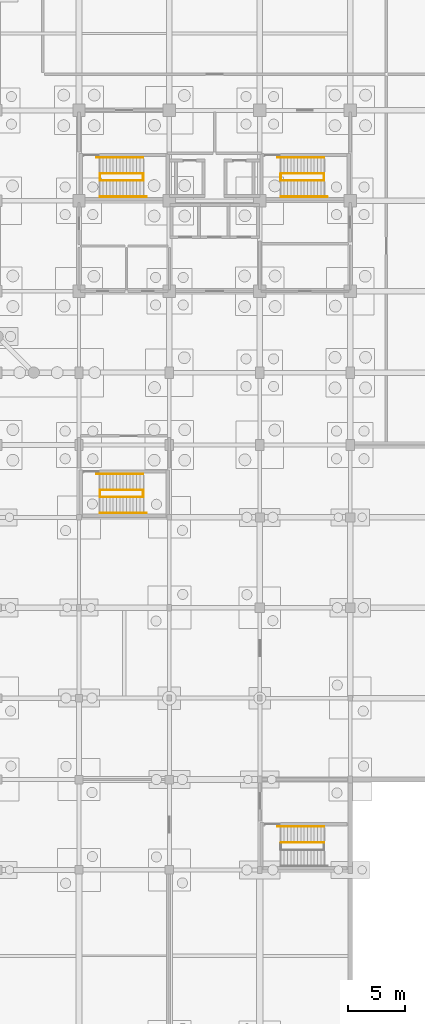
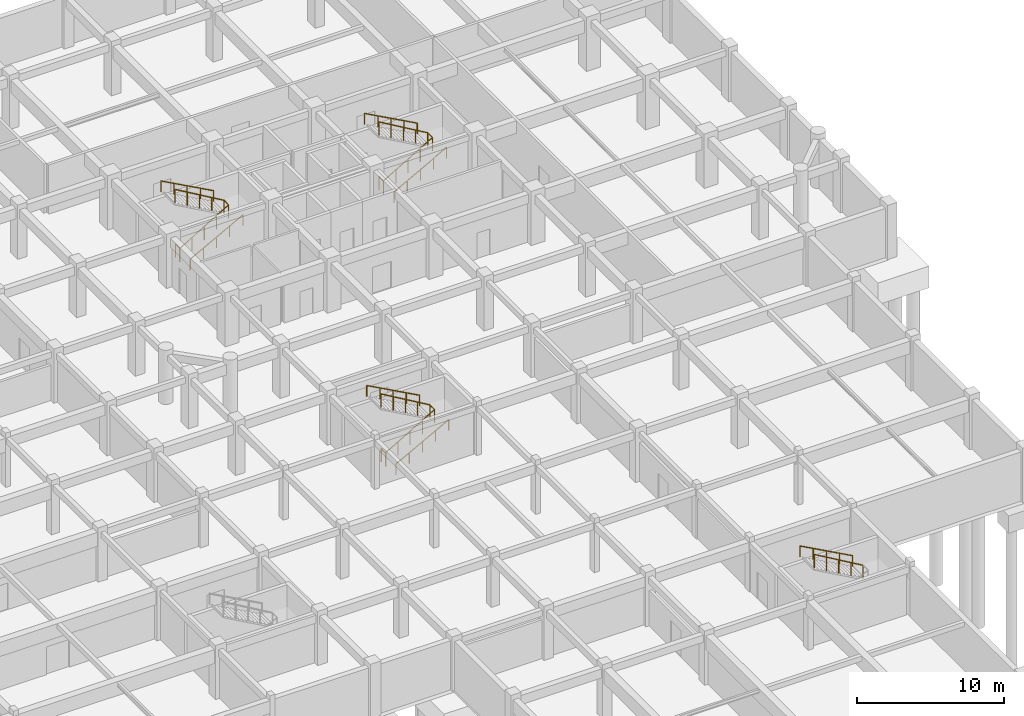
# One storey, part 28 of 28: 14 railings.
"""IFC4 building model written with IfcOpenShell, lengths in metres."""

from ifc_helpers import new_model, si_unit, direction, frame, origin, origin_2d, place, context, subcontext, project, spatial, circle, extrude, material, type_object, element, save


model = new_model("IFC4")

# Units and contexts
model_context = context("Model", 3, precision=1e-05, world=origin(), true_north=direction((0.0, 1.0)))
body_context = subcontext(model_context, "Body", "Model", "MODEL_VIEW")
ifc_project = project(units=[si_unit("LENGTHUNIT", "METRE"), si_unit("AREAUNIT", "SQUARE_METRE"), si_unit("VOLUMEUNIT", "CUBIC_METRE"), si_unit("PLANEANGLEUNIT", "RADIAN"), si_unit("MASSUNIT", "GRAM", prefix="KILO")], contexts=[model_context])

# Site, building, storey
site_placement = place(None, origin())
site = spatial("IfcSite", under=ifc_project, at=site_placement, CompositionType="ELEMENT")
building_placement = place(site_placement, origin())
building = spatial("IfcBuilding", under=site, at=building_placement, Name="Vellmiral Cinema and Media Centre", CompositionType="ELEMENT")
storey_placement = place(building_placement, frame((0.0, 0.0, -4.5)))
storey = spatial("IfcBuildingStorey", under=building, at=storey_placement, Name="B1", CompositionType="ELEMENT", Elevation=-4.5)

# Railings
ifc_material_1 = material(Name="Brushed Stainless Steel Handrail", Category="steel")
railing_type_1 = type_object("IfcRailingType", Name="RL-HANDRAIL-900", PredefinedType="HANDRAIL", material=ifc_material_1)
railing_1_placement = place(storey_placement, frame((125.85009765625, 59.56005859375, 0.16064453125)))
element("IfcRailing", 1, at=railing_1_placement, inside=storey, type_object=railing_type_1, Name="Stair Wall Handrail ST-P6 B1-1", PredefinedType="HANDRAIL", context=body_context, shape_type="SweptSolid", body=[
    extrude(circle(Radius=0.02392578125, at=origin_2d()), frame((0.0, 0.0, 0.8759765625), z_axis=(0.878133529518, 0.0, 0.478415618825), x_axis=(0.0, 1.0, 0.0)), (0.0, 0.0, 1.0), 4.703125),
    extrude(circle(Radius=0.02099609375, at=origin_2d()), origin(), (0.0, 0.0, 1.0), 0.851806640625),
    extrude(circle(Radius=0.02099609375, at=origin_2d()), frame((1.032470703125, 0.0, 0.5625)), (0.0, 0.0, 1.0), 0.851806640625),
    extrude(circle(Radius=0.02099609375, at=origin_2d()), frame((2.06494140625, 0.0, 1.125)), (0.0, 0.0, 1.0), 0.851806640625),
    extrude(circle(Radius=0.02099609375, at=origin_2d()), frame((3.097412109375, 0.0, 1.6875)), (0.0, 0.0, 1.0), 0.851806640625),
    extrude(circle(Radius=0.02099609375, at=origin_2d()), frame((4.1298828125, 0.0, 2.25)), (0.0, 0.0, 1.0), 0.851806640625),
])
for number, where, name in (
    (2, (129.68505859375, 63.0400390625, 2.41064453125), "Stair Wall Handrail ST-P6 B1-2"),
    (3, (145.68505859375, 31.840087890625, 2.41064453125), "Stair Wall Handrail ST-P8 B1-2"),
):
    element("IfcRailing", number, at=place(storey_placement, frame(where)), inside=storey, type_object=railing_type_1, Name=name, PredefinedType="HANDRAIL", context=body_context, shape_type="SweptSolid", body=[
        extrude(circle(Radius=0.02392578125, at=origin_2d()), frame((0.0, 0.0, 0.8759765625), z_axis=(-0.878145410269, 0.0, 0.478393811021), x_axis=(0.0, -1.0, 0.0)), (0.0, 0.0, 1.0), 4.703125),
        extrude(circle(Radius=0.02099609375, at=origin_2d()), origin(), (0.0, 0.0, 1.0), 0.851806640625),
        extrude(circle(Radius=0.02099609375, at=origin_2d()), frame((-1.032470703125, 0.0, 0.5625)), (0.0, 0.0, 1.0), 0.851806640625),
        extrude(circle(Radius=0.02099609375, at=origin_2d()), frame((-2.06494140625, 0.0, 1.125)), (0.0, 0.0, 1.0), 0.851806640625),
        extrude(circle(Radius=0.02099609375, at=origin_2d()), frame((-3.09765625, 0.0, 1.6875)), (0.0, 0.0, 1.0), 0.851806640625),
        extrude(circle(Radius=0.02099609375, at=origin_2d()), frame((-4.130126953125, 0.0, 2.25)), (0.0, 0.0, 1.0), 0.851806640625),
    ])
railing_2_placement = place(storey_placement, frame((125.85009765625, 87.56005859375, 0.16064453125)))
element("IfcRailing", 4, at=railing_2_placement, inside=storey, type_object=railing_type_1, Name="Stair Wall Handrail ST-T1 B1-1", PredefinedType="HANDRAIL", context=body_context, shape_type="SweptSolid", body=[
    extrude(circle(Radius=0.02392578125, at=origin_2d()), frame((0.0, 0.0, 0.8759765625), z_axis=(0.878133529518, 0.0, 0.478415618825), x_axis=(0.0, 1.0, 0.0)), (0.0, 0.0, 1.0), 4.703125),
    extrude(circle(Radius=0.02099609375, at=origin_2d()), origin(), (0.0, 0.0, 1.0), 0.851806640625),
    extrude(circle(Radius=0.02099609375, at=origin_2d()), frame((1.032470703125, 0.0, 0.5625)), (0.0, 0.0, 1.0), 0.851806640625),
    extrude(circle(Radius=0.02099609375, at=origin_2d()), frame((2.06494140625, 0.0, 1.125)), (0.0, 0.0, 1.0), 0.851806640625),
    extrude(circle(Radius=0.02099609375, at=origin_2d()), frame((3.097412109375, 0.0, 1.6875)), (0.0, 0.0, 1.0), 0.851806640625),
    extrude(circle(Radius=0.02099609375, at=origin_2d()), frame((4.1298828125, 0.0, 2.25)), (0.0, 0.0, 1.0), 0.851806640625),
])
railing_3_placement = place(storey_placement, frame((129.68505859375, 91.0400390625, 2.41064453125)))
element("IfcRailing", 5, at=railing_3_placement, inside=storey, type_object=railing_type_1, Name="Stair Wall Handrail ST-T1 B1-2", PredefinedType="HANDRAIL", context=body_context, shape_type="SweptSolid", body=[
    extrude(circle(Radius=0.02392578125, at=origin_2d()), frame((0.0, 0.0, 0.8759765625), z_axis=(-0.878145410269, 0.0, 0.478393811021), x_axis=(0.0, -1.0, 0.0)), (0.0, 0.0, 1.0), 4.703125),
    extrude(circle(Radius=0.02099609375, at=origin_2d()), origin(), (0.0, 0.0, 1.0), 0.851806640625),
    extrude(circle(Radius=0.02099609375, at=origin_2d()), frame((-1.032470703125, 0.0, 0.5625)), (0.0, 0.0, 1.0), 0.851806640625),
    extrude(circle(Radius=0.02099609375, at=origin_2d()), frame((-2.06494140625, 0.0, 1.125)), (0.0, 0.0, 1.0), 0.851806640625),
    extrude(circle(Radius=0.02099609375, at=origin_2d()), frame((-3.09765625, 0.0, 1.6875)), (0.0, 0.0, 1.0), 0.851806640625),
    extrude(circle(Radius=0.02099609375, at=origin_2d()), frame((-4.130126953125, 0.0, 2.25)), (0.0, 0.0, 1.0), 0.851806640625),
])
railing_4_placement = place(storey_placement, frame((141.85009765625, 87.56005859375, 0.16064453125)))
element("IfcRailing", 6, at=railing_4_placement, inside=storey, type_object=railing_type_1, Name="Stair Wall Handrail ST-T2 B1-1", PredefinedType="HANDRAIL", context=body_context, shape_type="SweptSolid", body=[
    extrude(circle(Radius=0.02392578125, at=origin_2d()), frame((0.0, 0.0, 0.8759765625), z_axis=(0.878133529518, 0.0, 0.478415618825), x_axis=(0.0, 1.0, 0.0)), (0.0, 0.0, 1.0), 4.703125),
    extrude(circle(Radius=0.02099609375, at=origin_2d()), origin(), (0.0, 0.0, 1.0), 0.851806640625),
    extrude(circle(Radius=0.02099609375, at=origin_2d()), frame((1.032470703125, 0.0, 0.5625)), (0.0, 0.0, 1.0), 0.851806640625),
    extrude(circle(Radius=0.02099609375, at=origin_2d()), frame((2.06494140625, 0.0, 1.125)), (0.0, 0.0, 1.0), 0.851806640625),
    extrude(circle(Radius=0.02099609375, at=origin_2d()), frame((3.097412109375, 0.0, 1.6875)), (0.0, 0.0, 1.0), 0.851806640625),
    extrude(circle(Radius=0.02099609375, at=origin_2d()), frame((4.1298828125, 0.0, 2.25)), (0.0, 0.0, 1.0), 0.851806640625),
])
railing_5_placement = place(storey_placement, frame((145.68505859375, 91.0400390625, 2.41064453125)))
element("IfcRailing", 7, at=railing_5_placement, inside=storey, type_object=railing_type_1, Name="Stair Wall Handrail ST-T2 B1-2", PredefinedType="HANDRAIL", context=body_context, shape_type="SweptSolid", body=[
    extrude(circle(Radius=0.02392578125, at=origin_2d()), frame((0.0, 0.0, 0.8759765625), z_axis=(-0.878145410269, 0.0, 0.478393811021), x_axis=(0.0, -1.0, 0.0)), (0.0, 0.0, 1.0), 4.703125),
    extrude(circle(Radius=0.02099609375, at=origin_2d()), origin(), (0.0, 0.0, 1.0), 0.851806640625),
    extrude(circle(Radius=0.02099609375, at=origin_2d()), frame((-1.032470703125, 0.0, 0.5625)), (0.0, 0.0, 1.0), 0.851806640625),
    extrude(circle(Radius=0.02099609375, at=origin_2d()), frame((-2.06494140625, 0.0, 1.125)), (0.0, 0.0, 1.0), 0.851806640625),
    extrude(circle(Radius=0.02099609375, at=origin_2d()), frame((-3.09765625, 0.0, 1.6875)), (0.0, 0.0, 1.0), 0.851806640625),
    extrude(circle(Radius=0.02099609375, at=origin_2d()), frame((-4.130126953125, 0.0, 2.25)), (0.0, 0.0, 1.0), 0.851806640625),
])
ifc_material_2 = material(Name="Painted Steel Stair Guardrail", Category="steel")
railing_type_2 = type_object("IfcRailingType", Name="RL-STAIR-GUARD-1120", PredefinedType="GUARDRAIL", material=ifc_material_2)
railing_6_placement = place(storey_placement, frame((125.85009765625, 61.580078125, 0.0)))
element("IfcRailing", 8, at=railing_6_placement, inside=storey, type_object=railing_type_2, Name="Stair Well Guard ST-P6 B1-A", PredefinedType="GUARDRAIL", context=body_context, shape_type="SweptSolid", body=[
    extrude(circle(Radius=0.02392578125, at=origin_2d()), frame((0.0, 0.0, 1.09619140625), z_axis=(0.0, -1.0, 0.0), x_axis=(1.0, 0.0, 0.0)), (0.0, 0.0, 1.0), 0.60009765625),
    extrude(circle(Radius=0.02392578125, at=origin_2d()), frame((0.0, -0.60009765625, 1.09619140625), z_axis=(0.86250956776, 0.0, 0.506040754805), x_axis=(0.0, 1.0, 0.0)), (0.0, 0.0, 1.0), 4.4462890625),
    extrude(circle(Radius=0.02392578125, at=origin_2d()), frame((3.8349609375, -0.60009765625, 3.34619140625), z_axis=(0.0, 1.0, 0.0), x_axis=(-1.0, 0.0, 0.0)), (0.0, 0.0, 1.0), 0.64013671875),
    extrude(circle(Radius=0.02099609375, at=origin_2d()), origin(), (0.0, 0.0, 1.0), 1.072021484375),
    extrude(circle(Radius=0.02099609375, at=origin_2d()), frame((0.0, -0.60009765625, 0.0)), (0.0, 0.0, 1.0), 1.072021484375),
    extrude(circle(Radius=0.02099609375, at=origin_2d()), frame((0.958740234375, -0.60009765625, 0.5625)), (0.0, 0.0, 1.0), 1.072021484375),
    extrude(circle(Radius=0.02099609375, at=origin_2d()), frame((1.91748046875, -0.60009765625, 1.125)), (0.0, 0.0, 1.0), 1.072021484375),
    extrude(circle(Radius=0.02099609375, at=origin_2d()), frame((2.876220703125, -0.60009765625, 1.6875)), (0.0, 0.0, 1.0), 1.072021484375),
    extrude(circle(Radius=0.02099609375, at=origin_2d()), frame((3.8349609375, -0.60009765625, 2.25)), (0.0, 0.0, 1.0), 1.072021484375),
    extrude(circle(Radius=0.02099609375, at=origin_2d()), frame((3.8349609375, 0.0400390625, 2.25)), (0.0, 0.0, 1.0), 1.072021484375),
])
for number, where, name in (
    (9, (129.68505859375, 61.6201171875, 2.25), "Stair Well Guard ST-P6 B1-B"),
    (10, (145.68505859375, 30.419921875, 2.25), "Stair Well Guard ST-P8 B1-B"),
):
    element("IfcRailing", number, at=place(storey_placement, frame(where)), inside=storey, type_object=railing_type_2, Name=name, PredefinedType="GUARDRAIL", context=body_context, shape_type="SweptSolid", body=[
        extrude(circle(Radius=0.02392578125, at=origin_2d()), frame((0.0, 0.0, 1.09619140625), z_axis=(-0.86250956776, 0.0, 0.506040754805), x_axis=(0.0, -1.0, 0.0)), (0.0, 0.0, 1.0), 4.4462890625),
        extrude(circle(Radius=0.02099609375, at=origin_2d()), origin(), (0.0, 0.0, 1.0), 1.072021484375),
        extrude(circle(Radius=0.02099609375, at=origin_2d()), frame((-0.958740234375, 0.0, 0.5625)), (0.0, 0.0, 1.0), 1.072021484375),
        extrude(circle(Radius=0.02099609375, at=origin_2d()), frame((-1.91748046875, 0.0, 1.125)), (0.0, 0.0, 1.0), 1.072021484375),
        extrude(circle(Radius=0.02099609375, at=origin_2d()), frame((-2.876220703125, 0.0, 1.6875)), (0.0, 0.0, 1.0), 1.072021484375),
        extrude(circle(Radius=0.02099609375, at=origin_2d()), frame((-3.8349609375, 0.0, 2.25)), (0.0, 0.0, 1.0), 1.072021484375),
    ])
railing_7_placement = place(storey_placement, frame((125.85009765625, 89.580078125, 0.0)))
element("IfcRailing", 11, at=railing_7_placement, inside=storey, type_object=railing_type_2, Name="Stair Well Guard ST-T1 B1-A", PredefinedType="GUARDRAIL", context=body_context, shape_type="SweptSolid", body=[
    extrude(circle(Radius=0.02392578125, at=origin_2d()), frame((0.0, 0.0, 1.09619140625), z_axis=(0.0, -1.0, 0.0), x_axis=(1.0, 0.0, 0.0)), (0.0, 0.0, 1.0), 0.60009765625),
    extrude(circle(Radius=0.02392578125, at=origin_2d()), frame((0.0, -0.60009765625, 1.09619140625), z_axis=(0.86250956776, 0.0, 0.506040754805), x_axis=(0.0, 1.0, 0.0)), (0.0, 0.0, 1.0), 4.4462890625),
    extrude(circle(Radius=0.02392578125, at=origin_2d()), frame((3.8349609375, -0.60009765625, 3.34619140625), z_axis=(0.0, 1.0, 0.0), x_axis=(-1.0, 0.0, 0.0)), (0.0, 0.0, 1.0), 0.64013671875),
    extrude(circle(Radius=0.02099609375, at=origin_2d()), origin(), (0.0, 0.0, 1.0), 1.072021484375),
    extrude(circle(Radius=0.02099609375, at=origin_2d()), frame((0.0, -0.60009765625, 0.0)), (0.0, 0.0, 1.0), 1.072021484375),
    extrude(circle(Radius=0.02099609375, at=origin_2d()), frame((0.958740234375, -0.60009765625, 0.5625)), (0.0, 0.0, 1.0), 1.072021484375),
    extrude(circle(Radius=0.02099609375, at=origin_2d()), frame((1.91748046875, -0.60009765625, 1.125)), (0.0, 0.0, 1.0), 1.072021484375),
    extrude(circle(Radius=0.02099609375, at=origin_2d()), frame((2.876220703125, -0.60009765625, 1.6875)), (0.0, 0.0, 1.0), 1.072021484375),
    extrude(circle(Radius=0.02099609375, at=origin_2d()), frame((3.8349609375, -0.60009765625, 2.25)), (0.0, 0.0, 1.0), 1.072021484375),
    extrude(circle(Radius=0.02099609375, at=origin_2d()), frame((3.8349609375, 0.0400390625, 2.25)), (0.0, 0.0, 1.0), 1.072021484375),
])
railing_8_placement = place(storey_placement, frame((129.68505859375, 89.6201171875, 2.25)))
element("IfcRailing", 12, at=railing_8_placement, inside=storey, type_object=railing_type_2, Name="Stair Well Guard ST-T1 B1-B", PredefinedType="GUARDRAIL", context=body_context, shape_type="SweptSolid", body=[
    extrude(circle(Radius=0.02392578125, at=origin_2d()), frame((0.0, 0.0, 1.09619140625), z_axis=(-0.86250956776, 0.0, 0.506040754805), x_axis=(0.0, -1.0, 0.0)), (0.0, 0.0, 1.0), 4.4462890625),
    extrude(circle(Radius=0.02099609375, at=origin_2d()), origin(), (0.0, 0.0, 1.0), 1.072021484375),
    extrude(circle(Radius=0.02099609375, at=origin_2d()), frame((-0.958740234375, 0.0, 0.5625)), (0.0, 0.0, 1.0), 1.072021484375),
    extrude(circle(Radius=0.02099609375, at=origin_2d()), frame((-1.91748046875, 0.0, 1.125)), (0.0, 0.0, 1.0), 1.072021484375),
    extrude(circle(Radius=0.02099609375, at=origin_2d()), frame((-2.876220703125, 0.0, 1.6875)), (0.0, 0.0, 1.0), 1.072021484375),
    extrude(circle(Radius=0.02099609375, at=origin_2d()), frame((-3.8349609375, 0.0, 2.25)), (0.0, 0.0, 1.0), 1.072021484375),
])
railing_9_placement = place(storey_placement, frame((141.85009765625, 89.580078125, 0.0)))
element("IfcRailing", 13, at=railing_9_placement, inside=storey, type_object=railing_type_2, Name="Stair Well Guard ST-T2 B1-A", PredefinedType="GUARDRAIL", context=body_context, shape_type="SweptSolid", body=[
    extrude(circle(Radius=0.02392578125, at=origin_2d()), frame((0.0, 0.0, 1.09619140625), z_axis=(0.0, -1.0, 0.0), x_axis=(1.0, 0.0, 0.0)), (0.0, 0.0, 1.0), 0.60009765625),
    extrude(circle(Radius=0.02392578125, at=origin_2d()), frame((0.0, -0.60009765625, 1.09619140625), z_axis=(0.86250956776, 0.0, 0.506040754805), x_axis=(0.0, 1.0, 0.0)), (0.0, 0.0, 1.0), 4.4462890625),
    extrude(circle(Radius=0.02392578125, at=origin_2d()), frame((3.8349609375, -0.60009765625, 3.34619140625), z_axis=(0.0, 1.0, 0.0), x_axis=(-1.0, 0.0, 0.0)), (0.0, 0.0, 1.0), 0.64013671875),
    extrude(circle(Radius=0.02099609375, at=origin_2d()), origin(), (0.0, 0.0, 1.0), 1.072021484375),
    extrude(circle(Radius=0.02099609375, at=origin_2d()), frame((0.0, -0.60009765625, 0.0)), (0.0, 0.0, 1.0), 1.072021484375),
    extrude(circle(Radius=0.02099609375, at=origin_2d()), frame((0.958740234375, -0.60009765625, 0.5625)), (0.0, 0.0, 1.0), 1.072021484375),
    extrude(circle(Radius=0.02099609375, at=origin_2d()), frame((1.91748046875, -0.60009765625, 1.125)), (0.0, 0.0, 1.0), 1.072021484375),
    extrude(circle(Radius=0.02099609375, at=origin_2d()), frame((2.876220703125, -0.60009765625, 1.6875)), (0.0, 0.0, 1.0), 1.072021484375),
    extrude(circle(Radius=0.02099609375, at=origin_2d()), frame((3.8349609375, -0.60009765625, 2.25)), (0.0, 0.0, 1.0), 1.072021484375),
    extrude(circle(Radius=0.02099609375, at=origin_2d()), frame((3.8349609375, 0.0400390625, 2.25)), (0.0, 0.0, 1.0), 1.072021484375),
])
railing_10_placement = place(storey_placement, frame((145.68505859375, 89.6201171875, 2.25)))
element("IfcRailing", 14, at=railing_10_placement, inside=storey, type_object=railing_type_2, Name="Stair Well Guard ST-T2 B1-B", PredefinedType="GUARDRAIL", context=body_context, shape_type="SweptSolid", body=[
    extrude(circle(Radius=0.02392578125, at=origin_2d()), frame((0.0, 0.0, 1.09619140625), z_axis=(-0.86250956776, 0.0, 0.506040754805), x_axis=(0.0, -1.0, 0.0)), (0.0, 0.0, 1.0), 4.4462890625),
    extrude(circle(Radius=0.02099609375, at=origin_2d()), origin(), (0.0, 0.0, 1.0), 1.072021484375),
    extrude(circle(Radius=0.02099609375, at=origin_2d()), frame((-0.958740234375, 0.0, 0.5625)), (0.0, 0.0, 1.0), 1.072021484375),
    extrude(circle(Radius=0.02099609375, at=origin_2d()), frame((-1.91748046875, 0.0, 1.125)), (0.0, 0.0, 1.0), 1.072021484375),
    extrude(circle(Radius=0.02099609375, at=origin_2d()), frame((-2.876220703125, 0.0, 1.6875)), (0.0, 0.0, 1.0), 1.072021484375),
    extrude(circle(Radius=0.02099609375, at=origin_2d()), frame((-3.8349609375, 0.0, 2.25)), (0.0, 0.0, 1.0), 1.072021484375),
])

save(model, "model.ifc")
